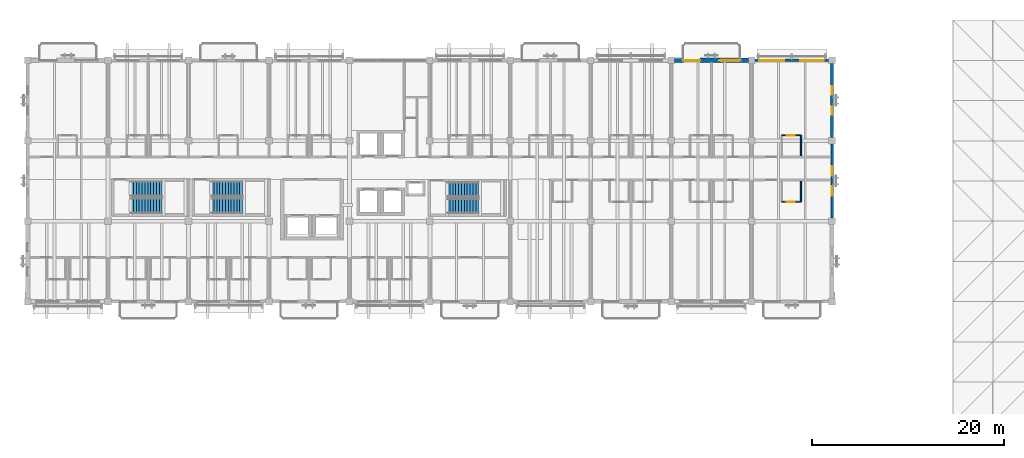
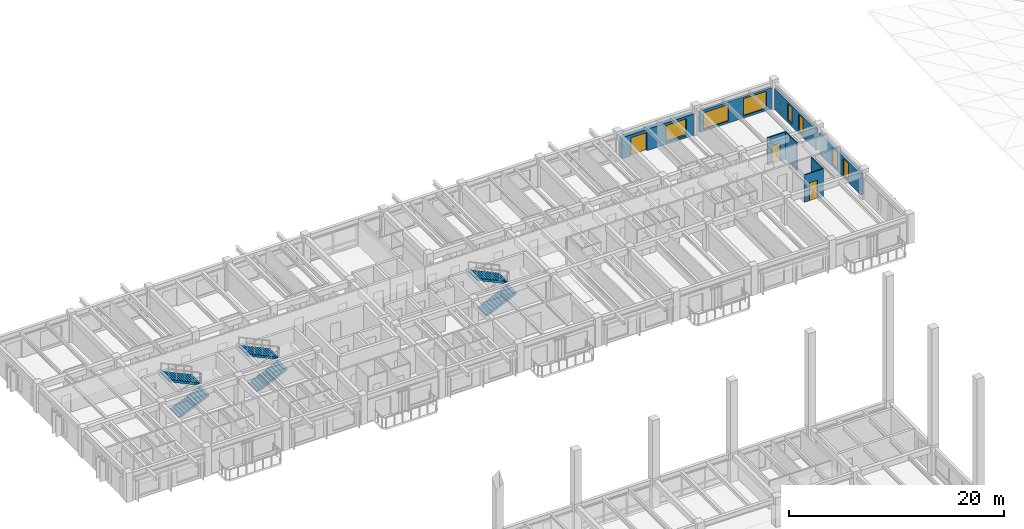
# One storey, part 41 of 64: 8 walls, 7 windows, 6 stair flights, 3 doors, 10 openings, 3 elements without a shape of their own.
"""IFC4 building model written with IfcOpenShell, lengths in metres."""

from ifc_helpers import new_model, si_unit, direction, frame, frame_2d, origin, place, context, subcontext, project, spatial, polyline, rectangle, outline, extrude, material, layer, layer_set, type_object, element, fill, aggregate, save


model = new_model("IFC4")

# Units and contexts
model_context = context("Model", 3, precision=1e-05, world=origin(), true_north=direction((0.0, 1.0)))
body_context = subcontext(model_context, "Body", "Model", "MODEL_VIEW")
ifc_project = project(units=[si_unit("LENGTHUNIT", "METRE"), si_unit("AREAUNIT", "SQUARE_METRE"), si_unit("VOLUMEUNIT", "CUBIC_METRE"), si_unit("PLANEANGLEUNIT", "RADIAN"), si_unit("MASSUNIT", "GRAM", prefix="KILO")], contexts=[model_context])

# Site, building, storey
site_placement = place(None, origin())
site = spatial("IfcSite", under=ifc_project, at=site_placement, CompositionType="ELEMENT")
building_placement = place(site_placement, origin())
building = spatial("IfcBuilding", under=site, at=building_placement, Name="Cumbredor Promenade Congress Hotel", CompositionType="ELEMENT")
storey_placement = place(building_placement, frame((0.0, 0.0, 18.47998046875)))
storey = spatial("IfcBuildingStorey", under=building, at=storey_placement, Name="L05", CompositionType="ELEMENT", Elevation=18.47998046875)

# Wall, opening, door
ifc_material_1 = material(Name="Moisture-resistant gypsum board on steel studs", Category="steel")
ifc_layer_1 = layer(ifc_material_1, 0.114990234375, Name="Moisture-resistant gypsum board on steel studs", Category="steel")
ifc_layer_set_1 = layer_set([ifc_layer_1], Name="Moisture-resistant gypsum board on steel studs")
wall_type_1 = type_object("IfcWallType", Name="WL-BATH-115", PredefinedType="PARTITIONING", material=ifc_layer_set_1)
wall_1_placement = place(storey_placement, frame((78.75, 109.77001953125, 0.0), z_axis=(0.0, 0.0, 1.0), x_axis=(1.0, 0.0, 0.0)))
wall_1 = element("IfcWall", 1, at=wall_1_placement, inside=storey, type_object=wall_type_1, Name="L05 Interior Partition W-L05-BH-0515", PredefinedType="PARTITIONING", context=body_context, shape_type="SweptSolid", body=[
    extrude(rectangle(XDim=2.0, YDim=0.114990234375, at=frame_2d((1.0, 0.0))), origin(), (0.0, 0.0, 1.0), 3.1201171875),
])
opening_1_placement = place(wall_1_placement, frame((0.5, 0.0, 0.0)))
opening_1 = element("IfcOpeningElement", 2, at=opening_1_placement, cuts=wall_1, Name="Opening ID-01", PredefinedType="OPENING", context=body_context, shape_type="SweptSolid", body=[
    extrude(rectangle(XDim=0.860107421875, YDim=2.050048828125, at=frame_2d((0.43017578125, 1.02490234375))), frame((0.0, 0.0673828125, 0.0), z_axis=(0.0, -1.0, 0.0), x_axis=(1.0, 0.0, 0.0)), (0.0, 0.0, 1.0), 0.135009765625),
])
ifc_material_2 = material(Name="Kiln-dried tropical hardwood", Category="wood")
door_type_1 = type_object("IfcDoorType", Name="DR-BATH-860", OperationType="NOTDEFINED", PredefinedType="DOOR", material=ifc_material_2)
door_1_placement = place(opening_1_placement, origin())
door_1 = element("IfcDoor", 3, at=door_1_placement, inside=storey, type_object=door_type_1, Name="L05 Interior Door W-L05-BH-0515-01", OperationType="SINGLE_SWING_RIGHT", OverallHeight=2.050048828125, OverallWidth=0.860107421875, PredefinedType="DOOR", context=body_context, shape_type="SweptSolid", body=[
    extrude(rectangle(XDim=0.860107421875, YDim=2.050048828125, at=frame_2d((0.43017578125, 1.02490234375))), frame((0.0, 0.02490234375, 0.0), z_axis=(0.0, -1.0, 0.0), x_axis=(1.0, 0.0, 0.0)), (0.0, 0.0, 1.0), 0.050048828125),
])
fill(opening_1, door_1)

# Wall
wall_2_placement = place(storey_placement, frame((80.75, 107.6201171875, 0.0), z_axis=(0.0, 0.0, 1.0), x_axis=(0.0, 1.0, 0.0)))
element("IfcWall", 4, at=wall_2_placement, inside=storey, type_object=wall_type_1, Name="L05 Interior Partition W-L05-BV2-0515", PredefinedType="PARTITIONING", context=body_context, shape_type="SweptSolid", body=[
    extrude(rectangle(XDim=2.14990234375, YDim=0.114990234375, at=frame_2d((1.074951171875, 0.0))), origin(), (0.0, 0.0, 1.0), 3.1201171875),
])

# Wall, opening, door
wall_3_placement = place(storey_placement, frame((78.75, 102.830078125, 0.0), z_axis=(0.0, 0.0, 1.0), x_axis=(1.0, 0.0, 0.0)))
wall_3 = element("IfcWall", 5, at=wall_3_placement, inside=storey, type_object=wall_type_1, Name="L05 Interior Partition W-L05-BH-0521", PredefinedType="PARTITIONING", context=body_context, shape_type="SweptSolid", body=[
    extrude(rectangle(XDim=2.0, YDim=0.114990234375, at=frame_2d((1.0, 0.0))), origin(), (0.0, 0.0, 1.0), 3.1201171875),
])
opening_2_placement = place(wall_3_placement, frame((0.5, 0.0, 0.0)))
opening_2 = element("IfcOpeningElement", 6, at=opening_2_placement, cuts=wall_3, Name="Opening ID-01", PredefinedType="OPENING", context=body_context, shape_type="SweptSolid", body=[
    extrude(rectangle(XDim=0.860107421875, YDim=2.050048828125, at=frame_2d((0.43017578125, 1.02490234375))), frame((0.0, 0.0673828125, 0.0), z_axis=(0.0, -1.0, 0.0), x_axis=(1.0, 0.0, 0.0)), (0.0, 0.0, 1.0), 0.135009765625),
])
door_2_placement = place(opening_2_placement, origin())
door_2 = element("IfcDoor", 7, at=door_2_placement, inside=storey, type_object=door_type_1, Name="L05 Interior Door W-L05-BH-0521-01", OperationType="SINGLE_SWING_RIGHT", OverallHeight=2.050048828125, OverallWidth=0.860107421875, PredefinedType="DOOR", context=body_context, shape_type="SweptSolid", body=[
    extrude(rectangle(XDim=0.860107421875, YDim=2.050048828125, at=frame_2d((0.43017578125, 1.02490234375))), frame((0.0, 0.02490234375, 0.0), z_axis=(0.0, -1.0, 0.0), x_axis=(1.0, 0.0, 0.0)), (0.0, 0.0, 1.0), 0.050048828125),
])
fill(opening_2, door_2)

# Wall
wall_4_placement = place(storey_placement, frame((80.75, 102.830078125, 0.0), z_axis=(0.0, 0.0, 1.0), x_axis=(0.0, 1.0, 0.0)))
element("IfcWall", 8, at=wall_4_placement, inside=storey, type_object=wall_type_1, Name="L05 Interior Partition W-L05-BV2-0521", PredefinedType="PARTITIONING", context=body_context, shape_type="SweptSolid", body=[
    extrude(rectangle(XDim=2.14990234375, YDim=0.114990234375, at=frame_2d((1.074951171875, 0.0))), origin(), (0.0, 0.0, 1.0), 3.1201171875),
])

# Wall, openings, windows
ifc_material_3 = material(Name="Concrete C40/50", Category="concrete")
ifc_layer_2 = layer(ifc_material_3, 0.260009765625, Name="Concrete C40/50", Category="concrete")
ifc_layer_set_2 = layer_set([ifc_layer_2], Name="Concrete C40/50")
wall_type_2 = type_object("IfcWallType", Name="WL-EXT-260", PredefinedType="SOLIDWALL", material=ifc_layer_set_2)
wall_5_placement = place(storey_placement, frame((75.950927734375, 117.60009765625, 0.0), z_axis=(0.0, 0.0, 1.0), x_axis=(1.0, 0.0, 0.0)))
wall_5 = element("IfcWall", 9, at=wall_5_placement, inside=storey, type_object=wall_type_2, Name="L05 Stepped Congress Hotel Wing North Envelope Wall 10", PredefinedType="SOLIDWALL", context=body_context, shape_type="SweptSolid", body=[
    extrude(rectangle(XDim=7.697998046875, YDim=0.260009765625, at=frame_2d((3.84912109375, 0.0))), origin(), (0.0, 0.0, 1.0), 2.4140625),
])
opening_3_placement = place(wall_5_placement, frame((0.424072265625, 0.0, 0.25)))
opening_3 = element("IfcOpeningElement", 10, at=opening_3_placement, cuts=wall_5, Name="Opening WN-05", PredefinedType="OPENING", context=body_context, shape_type="SweptSolid", body=[
    extrude(rectangle(XDim=2.64990234375, YDim=1.85009765625, at=frame_2d((1.324951171875, 0.925048828125))), frame((0.0, 0.14013671875, 0.0), z_axis=(0.0, -1.0, 0.0), x_axis=(1.0, 0.0, 0.0)), (0.0, 0.0, 1.0), 0.280029296875),
])
opening_4_placement = place(wall_5_placement, frame((4.72412109375, 0.0, 0.25)))
opening_4 = element("IfcOpeningElement", 11, at=opening_4_placement, cuts=wall_5, Name="Opening WN-09", PredefinedType="OPENING", context=body_context, shape_type="SweptSolid", body=[
    extrude(rectangle(XDim=2.449951171875, YDim=1.949951171875, at=frame_2d((1.22509765625, 0.97509765625))), frame((0.0, 0.14013671875, 0.0), z_axis=(0.0, -1.0, 0.0), x_axis=(1.0, 0.0, 0.0)), (0.0, 0.0, 1.0), 0.280029296875),
])
ifc_material_4 = material(Name="Thermally broken anodized aluminium and low-E glass", Category="aluminium")
window_type_1 = type_object("IfcWindowType", Name="Hospitality Floor-to-Ceiling Window WN-05 2650x1850", PartitioningType="DOUBLE_PANEL_VERTICAL", PredefinedType="WINDOW", material=ifc_material_4)
window_1_placement = place(opening_3_placement, origin())
window_1 = element("IfcWindow", 12, at=window_1_placement, inside=storey, type_object=window_type_1, Name="L05 Wide Hospitality Window 0569", OverallHeight=1.85009765625, OverallWidth=2.64990234375, PartitioningType="DOUBLE_PANEL_VERTICAL", PredefinedType="WINDOW", context=body_context, shape_type="SweptSolid", body=[
    extrude(rectangle(XDim=2.64990234375, YDim=1.85009765625, at=frame_2d((1.324951171875, 0.925048828125))), frame((0.0, 0.030029296875, 0.0), z_axis=(0.0, -1.0, 0.0), x_axis=(1.0, 0.0, 0.0)), (0.0, 0.0, 1.0), 0.06005859375),
])
fill(opening_3, window_1)
window_type_2 = type_object("IfcWindowType", Name="Hospitality Floor-to-Ceiling Window WN-09 2450x1950", PartitioningType="DOUBLE_PANEL_VERTICAL", PredefinedType="WINDOW", material=ifc_material_4)
window_2_placement = place(opening_4_placement, origin())
window_2 = element("IfcWindow", 13, at=window_2_placement, inside=storey, type_object=window_type_2, Name="L05 Wide Hospitality Window 0570", OverallHeight=1.949951171875, OverallWidth=2.449951171875, PartitioningType="DOUBLE_PANEL_VERTICAL", PredefinedType="WINDOW", context=body_context, shape_type="SweptSolid", body=[
    extrude(rectangle(XDim=2.449951171875, YDim=1.949951171875, at=frame_2d((1.22509765625, 0.97509765625))), frame((0.0, 0.030029296875, 0.0), z_axis=(0.0, -1.0, 0.0), x_axis=(1.0, 0.0, 0.0)), (0.0, 0.0, 1.0), 0.06005859375),
])
fill(opening_4, window_2)

wall_6_placement = place(storey_placement, frame((84.0, 101.15087890625, 0.0), z_axis=(0.0, 0.0, 1.0), x_axis=(0.0, 1.0, 0.0)))
wall_6 = element("IfcWall", 14, at=wall_6_placement, inside=storey, type_object=wall_type_2, Name="L05 Stepped Congress Hotel Wing East Envelope Wall 2", PredefinedType="SOLIDWALL", context=body_context, shape_type="SweptSolid", body=[
    extrude(rectangle(XDim=7.6982421875, YDim=0.260009765625, at=frame_2d((3.84912109375, 0.0))), origin(), (0.0, 0.0, 1.0), 2.4140625),
])
opening_5_placement = place(wall_6_placement, frame((2.2890625, 0.0, 0.300048828125)))
opening_5 = element("IfcOpeningElement", 15, at=opening_5_placement, cuts=wall_6, Name="Opening WN-69", PredefinedType="OPENING", context=body_context, shape_type="SweptSolid", body=[
    extrude(rectangle(XDim=1.02001953125, YDim=1.89990234375, at=frame_2d((0.510009765625, 0.949951171875))), frame((0.0, 0.14013671875, 0.0), z_axis=(0.0, -1.0, 0.0), x_axis=(1.0, 0.0, 0.0)), (0.0, 0.0, 1.0), 0.280029296875),
])
opening_6_placement = place(wall_6_placement, frame((4.388916015625, 0.0, 0.300048828125)))
opening_6 = element("IfcOpeningElement", 16, at=opening_6_placement, cuts=wall_6, Name="Opening WN-69", PredefinedType="OPENING", context=body_context, shape_type="SweptSolid", body=[
    extrude(rectangle(XDim=1.02001953125, YDim=1.89990234375, at=frame_2d((0.510009765625, 0.949951171875))), frame((0.0, 0.14013671875, 0.0), z_axis=(0.0, -1.0, 0.0), x_axis=(1.0, 0.0, 0.0)), (0.0, 0.0, 1.0), 0.280029296875),
])
window_type_3 = type_object("IfcWindowType", Name="Vertical Slot Window WN-69 1020x1900", PartitioningType="SINGLE_PANEL", PredefinedType="WINDOW", material=ifc_material_4)
window_3_placement = place(opening_5_placement, origin())
window_3 = element("IfcWindow", 17, at=window_3_placement, inside=storey, type_object=window_type_3, Name="L05 Vertical Slot Window 0579", OverallHeight=1.89990234375, OverallWidth=1.02001953125, PartitioningType="SINGLE_PANEL", PredefinedType="WINDOW", context=body_context, shape_type="SweptSolid", body=[
    extrude(rectangle(XDim=1.02001953125, YDim=1.89990234375, at=frame_2d((0.510009765625, 0.949951171875))), frame((0.0, 0.030029296875, 0.0), z_axis=(0.0, -1.0, 0.0), x_axis=(1.0, 0.0, 0.0)), (0.0, 0.0, 1.0), 0.06005859375),
])
fill(opening_5, window_3)
window_4_placement = place(opening_6_placement, origin())
window_4 = element("IfcWindow", 18, at=window_4_placement, inside=storey, type_object=window_type_3, Name="L05 Vertical Slot Window 0580", OverallHeight=1.89990234375, OverallWidth=1.02001953125, PartitioningType="SINGLE_PANEL", PredefinedType="WINDOW", context=body_context, shape_type="SweptSolid", body=[
    extrude(rectangle(XDim=1.02001953125, YDim=1.89990234375, at=frame_2d((0.510009765625, 0.949951171875))), frame((0.0, 0.030029296875, 0.0), z_axis=(0.0, -1.0, 0.0), x_axis=(1.0, 0.0, 0.0)), (0.0, 0.0, 1.0), 0.06005859375),
])
fill(opening_6, window_4)

ifc_layer_3 = layer(ifc_material_3, 0.280029296875, Name="Concrete C40/50", Category="concrete")
ifc_layer_set_3 = layer_set([ifc_layer_3], Name="Concrete C40/50")
wall_type_3 = type_object("IfcWallType", Name="WL-EXT-280", PredefinedType="SOLIDWALL", material=ifc_layer_set_3)
wall_7_placement = place(storey_placement, frame((84.0, 109.551025390625, 0.0), z_axis=(0.0, 0.0, 1.0), x_axis=(0.0, 1.0, 0.0)))
wall_7 = element("IfcWall", 19, at=wall_7_placement, inside=storey, type_object=wall_type_3, Name="L05 Stepped Congress Hotel Wing East Envelope Wall 3", PredefinedType="SOLIDWALL", context=body_context, shape_type="SweptSolid", body=[
    extrude(rectangle(XDim=7.697998046875, YDim=0.280029296875, at=frame_2d((3.84912109375, 0.0))), origin(), (0.0, 0.0, 1.0), 2.4140625),
])
opening_7_placement = place(wall_7_placement, frame((2.37890625, 0.0, 0.300048828125)))
opening_7 = element("IfcOpeningElement", 20, at=opening_7_placement, cuts=wall_7, Name="Opening WN-47", PredefinedType="OPENING", context=body_context, shape_type="SweptSolid", body=[
    extrude(rectangle(XDim=0.840087890625, YDim=1.85009765625, at=frame_2d((0.419921875, 0.925048828125))), frame((0.0, 0.14990234375, 0.0), z_axis=(0.0, -1.0, 0.0), x_axis=(1.0, 0.0, 0.0)), (0.0, 0.0, 1.0), 0.300048828125),
])
opening_8_placement = place(wall_7_placement, frame((4.47900390625, 0.0, 0.300048828125)))
opening_8 = element("IfcOpeningElement", 21, at=opening_8_placement, cuts=wall_7, Name="Opening WN-47", PredefinedType="OPENING", context=body_context, shape_type="SweptSolid", body=[
    extrude(rectangle(XDim=0.840087890625, YDim=1.85009765625, at=frame_2d((0.419921875, 0.925048828125))), frame((0.0, 0.14990234375, 0.0), z_axis=(0.0, -1.0, 0.0), x_axis=(1.0, 0.0, 0.0)), (0.0, 0.0, 1.0), 0.300048828125),
])
window_type_4 = type_object("IfcWindowType", Name="Vertical Slot Window WN-47 840x1850", PartitioningType="SINGLE_PANEL", PredefinedType="WINDOW", material=ifc_material_4)
window_5_placement = place(opening_7_placement, origin())
window_5 = element("IfcWindow", 22, at=window_5_placement, inside=storey, type_object=window_type_4, Name="L05 Vertical Slot Window 0581", OverallHeight=1.85009765625, OverallWidth=0.840087890625, PartitioningType="SINGLE_PANEL", PredefinedType="WINDOW", context=body_context, shape_type="SweptSolid", body=[
    extrude(rectangle(XDim=0.840087890625, YDim=1.85009765625, at=frame_2d((0.419921875, 0.925048828125))), frame((0.0, 0.030029296875, 0.0), z_axis=(0.0, -1.0, 0.0), x_axis=(1.0, 0.0, 0.0)), (0.0, 0.0, 1.0), 0.06005859375),
])
fill(opening_7, window_5)
window_6_placement = place(opening_8_placement, origin())
window_6 = element("IfcWindow", 23, at=window_6_placement, inside=storey, type_object=window_type_4, Name="L05 Vertical Slot Window 0582", OverallHeight=1.85009765625, OverallWidth=0.840087890625, PartitioningType="SINGLE_PANEL", PredefinedType="WINDOW", context=body_context, shape_type="SweptSolid", body=[
    extrude(rectangle(XDim=0.840087890625, YDim=1.85009765625, at=frame_2d((0.419921875, 0.925048828125))), frame((0.0, 0.030029296875, 0.0), z_axis=(0.0, -1.0, 0.0), x_axis=(1.0, 0.0, 0.0)), (0.0, 0.0, 1.0), 0.06005859375),
])
fill(opening_8, window_6)

# Wall, openings, door, window
ifc_layer_4 = layer(ifc_material_3, 0.449951171875, Name="Concrete C40/50", Category="concrete")
ifc_layer_set_4 = layer_set([ifc_layer_4], Name="Concrete C40/50")
wall_type_4 = type_object("IfcWallType", Name="WL-EXT-450", PredefinedType="SOLIDWALL", material=ifc_layer_set_4)
wall_8_placement = place(storey_placement, frame((67.551025390625, 117.60009765625, 0.0), z_axis=(0.0, 0.0, 1.0), x_axis=(1.0, 0.0, 0.0)))
wall_8 = element("IfcWall", 24, at=wall_8_placement, inside=storey, type_object=wall_type_4, Name="L05 Stepped Congress Hotel Wing North Envelope Wall 9", PredefinedType="SOLIDWALL", context=body_context, shape_type="SweptSolid", body=[
    extrude(rectangle(XDim=7.697998046875, YDim=0.449951171875, at=frame_2d((3.84912109375, 0.0))), origin(), (0.0, 0.0, 1.0), 2.4140625),
])
opening_9_placement = place(wall_8_placement, frame((0.924072265625, 0.0, 0.0)))
opening_9 = element("IfcOpeningElement", 25, at=opening_9_placement, cuts=wall_8, Name="Opening TD-03", PredefinedType="OPENING", context=body_context, shape_type="SweptSolid", body=[
    extrude(rectangle(XDim=1.75, YDim=2.080078125, at=frame_2d((0.875, 1.0400390625))), frame((0.0, 0.23486328125, 0.0), z_axis=(0.0, -1.0, 0.0), x_axis=(1.0, 0.0, 0.0)), (0.0, 0.0, 1.0), 0.469970703125),
])
opening_10_placement = place(wall_8_placement, frame((4.68896484375, 0.0, 0.25)))
opening_10 = element("IfcOpeningElement", 26, at=opening_10_placement, cuts=wall_8, Name="Opening WN-35", PredefinedType="OPENING", context=body_context, shape_type="SweptSolid", body=[
    extrude(rectangle(XDim=2.219970703125, YDim=1.89990234375, at=frame_2d((1.10986328125, 0.949951171875))), frame((0.0, 0.23486328125, 0.0), z_axis=(0.0, -1.0, 0.0), x_axis=(1.0, 0.0, 0.0)), (0.0, 0.0, 1.0), 0.469970703125),
])
ifc_material_5 = material(Name="Thermally broken anodized aluminium and laminated safety glass", Category="aluminium")
door_type_2 = type_object("IfcDoorType", Name="EXT-DR-TER-1750x2080", OperationType="DOUBLE_DOOR_SINGLE_SWING", PredefinedType="DOOR", material=ifc_material_5)
door_3_placement = place(opening_9_placement, origin())
door_3 = element("IfcDoor", 27, at=door_3_placement, inside=storey, type_object=door_type_2, Name="L05 Guestroom Veranda Balcony Door 065", OperationType="DOUBLE_DOOR_SINGLE_SWING", OverallHeight=2.080078125, OverallWidth=1.75, PredefinedType="DOOR", context=body_context, shape_type="SweptSolid", body=[
    extrude(rectangle(XDim=1.75, YDim=2.080078125, at=frame_2d((0.875, 1.0400390625))), frame((0.0, 0.02490234375, 0.0), z_axis=(0.0, -1.0, 0.0), x_axis=(1.0, 0.0, 0.0)), (0.0, 0.0, 1.0), 0.050048828125),
])
fill(opening_9, door_3)
window_type_5 = type_object("IfcWindowType", Name="Hospitality Floor-to-Ceiling Window WN-35 2220x1900", PartitioningType="DOUBLE_PANEL_VERTICAL", PredefinedType="WINDOW", material=ifc_material_4)
window_7_placement = place(opening_10_placement, origin())
window_7 = element("IfcWindow", 28, at=window_7_placement, inside=storey, type_object=window_type_5, Name="L05 Veranda Companion Floor-to-Ceiling Window 0568", OverallHeight=1.89990234375, OverallWidth=2.219970703125, PartitioningType="DOUBLE_PANEL_VERTICAL", PredefinedType="WINDOW", context=body_context, shape_type="SweptSolid", body=[
    extrude(rectangle(XDim=2.219970703125, YDim=1.89990234375, at=frame_2d((1.10986328125, 0.949951171875))), frame((0.0, 0.030029296875, 0.0), z_axis=(0.0, -1.0, 0.0), x_axis=(1.0, 0.0, 0.0)), (0.0, 0.0, 1.0), 0.06005859375),
])
fill(opening_10, window_7)

# Stair, stair flights
stair_type_1 = type_object("IfcStairType", Name="Protected Dog-Leg Exit Stair ST-T1 1550mm", PredefinedType="HALF_TURN_STAIR", material=ifc_material_3)
stair_1_placement = place(storey_placement, origin())
stair_1 = element("IfcStair", 29, at=stair_1_placement, inside=storey, type_object=stair_type_1, Name="L05 Protected Exit Stair ST-03", PredefinedType="HALF_TURN_STAIR")
stair_flight_type_1 = type_object("IfcStairFlightType", Name="Concrete Stair Flight SFL-T1 1550mm", PredefinedType="STRAIGHT", material=ifc_material_3)
stair_flight_1_placement = place(storey_placement, frame((43.800048828125, 102.39501953125, 0.0), z_axis=(0.0, 0.0, 1.0), x_axis=(1.0, 0.0, 0.0)))
stair_flight_1 = element("IfcStairFlight", 30, at=stair_flight_1_placement, type_object=stair_flight_type_1, Name="ST-03 flight 1", NumberOfRisers=12, NumberOfTreads=11, PredefinedType="STRAIGHT", RiserHeight=0.14, TreadLength=0.3, context=body_context, shape_type="SweptSolid", body=[
    extrude(outline(polyline([(0.0, 0.0), (0.0, 0.139892578125), (0.300048828125, 0.139892578125), (0.300048828125, 0.280029296875), (0.60009765625, 0.280029296875), (0.60009765625, 0.419921875), (0.89990234375, 0.419921875), (0.89990234375, 0.56005859375), (1.199951171875, 0.56005859375), (1.199951171875, 0.699951171875), (1.5, 0.699951171875), (1.5, 0.840087890625), (1.800048828125, 0.840087890625), (1.800048828125, 0.97998046875), (2.10009765625, 0.97998046875), (2.10009765625, 1.1201171875), (2.39990234375, 1.1201171875), (2.39990234375, 1.260009765625), (2.699951171875, 1.260009765625), (2.699951171875, 1.39990234375), (3.0, 1.39990234375), (3.0, 1.5400390625), (3.300048828125, 1.5400390625), (3.300048828125, 1.679931640625), (3.300048828125, 1.341552734375), (0.425537109375, 0.0), (0.0, 0.0)])), frame((0.0, 0.77490234375, 0.0), z_axis=(0.0, -1.0, 0.0), x_axis=(1.0, 0.0, 0.0)), (0.0, 0.0, 1.0), 1.550048828125),
])
stair_flight_2_placement = place(storey_placement, frame((47.10009765625, 104.094970703125, 1.679931640625), z_axis=(0.0, 0.0, 1.0), x_axis=(-1.0, 0.0, 0.0)))
stair_flight_2 = element("IfcStairFlight", 31, at=stair_flight_2_placement, type_object=stair_flight_type_1, Name="ST-03 flight 2", NumberOfRisers=12, NumberOfTreads=11, PredefinedType="STRAIGHT", RiserHeight=0.14, TreadLength=0.3, context=body_context, shape_type="SweptSolid", body=[
    extrude(outline(polyline([(0.0, 0.0), (0.0, 0.139892578125), (0.300048828125, 0.139892578125), (0.300048828125, 0.280029296875), (0.60009765625, 0.280029296875), (0.60009765625, 0.419921875), (0.89990234375, 0.419921875), (0.89990234375, 0.56005859375), (1.199951171875, 0.56005859375), (1.199951171875, 0.699951171875), (1.5, 0.699951171875), (1.5, 0.840087890625), (1.800048828125, 0.840087890625), (1.800048828125, 0.97998046875), (2.10009765625, 0.97998046875), (2.10009765625, 1.1201171875), (2.39990234375, 1.1201171875), (2.39990234375, 1.260009765625), (2.699951171875, 1.260009765625), (2.699951171875, 1.39990234375), (3.0, 1.39990234375), (3.0, 1.5400390625), (3.300048828125, 1.5400390625), (3.300048828125, 1.679931640625), (3.300048828125, 1.341552734375), (0.425537109375, 0.0), (0.0, 0.0)])), frame((0.0, 0.77490234375, 0.0), z_axis=(0.0, -1.0, 0.0), x_axis=(1.0, 0.0, 0.0)), (0.0, 0.0, 1.0), 1.550048828125),
])
aggregate(stair_1, [stair_flight_1, stair_flight_2])

stair_type_2 = type_object("IfcStairType", Name="Protected Dog-Leg Exit Stair ST-T2 1600mm", PredefinedType="HALF_TURN_STAIR", material=ifc_material_3)
stair_2_placement = place(storey_placement, origin())
stair_2 = element("IfcStair", 32, at=stair_2_placement, inside=storey, type_object=stair_type_2, Name="L05 Protected Exit Stair ST-01", PredefinedType="HALF_TURN_STAIR")
stair_flight_type_2 = type_object("IfcStairFlightType", Name="Concrete Stair Flight SFL-T2 1600mm", PredefinedType="STRAIGHT", material=ifc_material_3)
stair_flight_3_placement = place(storey_placement, frame((10.75, 102.419921875, 0.0), z_axis=(0.0, 0.0, 1.0), x_axis=(1.0, 0.0, 0.0)))
stair_flight_3 = element("IfcStairFlight", 33, at=stair_flight_3_placement, type_object=stair_flight_type_2, Name="ST-01 flight 1", NumberOfRisers=12, NumberOfTreads=11, PredefinedType="STRAIGHT", RiserHeight=0.14, TreadLength=0.3, context=body_context, shape_type="SweptSolid", body=[
    extrude(outline(polyline([(0.0, 0.0), (0.0, 0.139892578125), (0.300048828125, 0.139892578125), (0.300048828125, 0.280029296875), (0.60009765625, 0.280029296875), (0.60009765625, 0.419921875), (0.89990234375, 0.419921875), (0.89990234375, 0.56005859375), (1.199951171875, 0.56005859375), (1.199951171875, 0.699951171875), (1.5, 0.699951171875), (1.5, 0.840087890625), (1.800048828125, 0.840087890625), (1.800048828125, 0.97998046875), (2.10009765625, 0.97998046875), (2.10009765625, 1.1201171875), (2.39990234375, 1.1201171875), (2.39990234375, 1.260009765625), (2.699951171875, 1.260009765625), (2.699951171875, 1.39990234375), (3.0, 1.39990234375), (3.0, 1.5400390625), (3.300048828125, 1.5400390625), (3.300048828125, 1.679931640625), (3.300048828125, 1.341552734375), (0.425537109375, 0.0), (0.0, 0.0)])), frame((0.0, 0.800048828125, 0.0), z_axis=(0.0, -1.0, 0.0), x_axis=(1.0, 0.0, 0.0)), (0.0, 0.0, 1.0), 1.60009765625),
])
stair_flight_4_placement = place(storey_placement, frame((14.050048828125, 104.169921875, 1.679931640625), z_axis=(0.0, 0.0, 1.0), x_axis=(-1.0, 0.0, 0.0)))
stair_flight_4 = element("IfcStairFlight", 34, at=stair_flight_4_placement, type_object=stair_flight_type_2, Name="ST-01 flight 2", NumberOfRisers=12, NumberOfTreads=11, PredefinedType="STRAIGHT", RiserHeight=0.14, TreadLength=0.3, context=body_context, shape_type="SweptSolid", body=[
    extrude(outline(polyline([(0.0, 0.0), (0.0, 0.139892578125), (0.300048828125, 0.139892578125), (0.300048828125, 0.280029296875), (0.60009765625, 0.280029296875), (0.60009765625, 0.419921875), (0.89990234375, 0.419921875), (0.89990234375, 0.56005859375), (1.199951171875, 0.56005859375), (1.199951171875, 0.699951171875), (1.5, 0.699951171875), (1.5, 0.840087890625), (1.800048828125, 0.840087890625), (1.800048828125, 0.97998046875), (2.10009765625, 0.97998046875), (2.10009765625, 1.1201171875), (2.39990234375, 1.1201171875), (2.39990234375, 1.260009765625), (2.699951171875, 1.260009765625), (2.699951171875, 1.39990234375), (3.0, 1.39990234375), (3.0, 1.5400390625), (3.300048828125, 1.5400390625), (3.300048828125, 1.679931640625), (3.300048828125, 1.341552734375), (0.425537109375, 0.0), (0.0, 0.0)])), frame((0.0, 0.800048828125, 0.0), z_axis=(0.0, -1.0, 0.0), x_axis=(1.0, 0.0, 0.0)), (0.0, 0.0, 1.0), 1.60009765625),
])
aggregate(stair_2, [stair_flight_3, stair_flight_4])

stair_3_placement = place(storey_placement, origin())
stair_3 = element("IfcStair", 35, at=stair_3_placement, inside=storey, type_object=stair_type_2, Name="L05 Protected Exit Stair ST-02", PredefinedType="HALF_TURN_STAIR")
stair_flight_5_placement = place(storey_placement, frame((19.14990234375, 102.419921875, 0.0), z_axis=(0.0, 0.0, 1.0), x_axis=(1.0, 0.0, 0.0)))
stair_flight_5 = element("IfcStairFlight", 36, at=stair_flight_5_placement, type_object=stair_flight_type_2, Name="ST-02 flight 1", NumberOfRisers=12, NumberOfTreads=11, PredefinedType="STRAIGHT", RiserHeight=0.14, TreadLength=0.3, context=body_context, shape_type="SweptSolid", body=[
    extrude(outline(polyline([(0.0, 0.0), (0.0, 0.139892578125), (0.300048828125, 0.139892578125), (0.300048828125, 0.280029296875), (0.60009765625, 0.280029296875), (0.60009765625, 0.419921875), (0.89990234375, 0.419921875), (0.89990234375, 0.56005859375), (1.199951171875, 0.56005859375), (1.199951171875, 0.699951171875), (1.5, 0.699951171875), (1.5, 0.840087890625), (1.800048828125, 0.840087890625), (1.800048828125, 0.97998046875), (2.10009765625, 0.97998046875), (2.10009765625, 1.1201171875), (2.39990234375, 1.1201171875), (2.39990234375, 1.260009765625), (2.699951171875, 1.260009765625), (2.699951171875, 1.39990234375), (3.0, 1.39990234375), (3.0, 1.5400390625), (3.300048828125, 1.5400390625), (3.300048828125, 1.679931640625), (3.300048828125, 1.341552734375), (0.425537109375, 0.0), (0.0, 0.0)])), frame((0.0, 0.800048828125, 0.0), z_axis=(0.0, -1.0, 0.0), x_axis=(1.0, 0.0, 0.0)), (0.0, 0.0, 1.0), 1.60009765625),
])
stair_flight_6_placement = place(storey_placement, frame((22.449951171875, 104.169921875, 1.679931640625), z_axis=(0.0, 0.0, 1.0), x_axis=(-1.0, 0.0, 0.0)))
stair_flight_6 = element("IfcStairFlight", 37, at=stair_flight_6_placement, type_object=stair_flight_type_2, Name="ST-02 flight 2", NumberOfRisers=12, NumberOfTreads=11, PredefinedType="STRAIGHT", RiserHeight=0.14, TreadLength=0.3, context=body_context, shape_type="SweptSolid", body=[
    extrude(outline(polyline([(0.0, 0.0), (0.0, 0.139892578125), (0.300048828125, 0.139892578125), (0.300048828125, 0.280029296875), (0.60009765625, 0.280029296875), (0.60009765625, 0.419921875), (0.89990234375, 0.419921875), (0.89990234375, 0.56005859375), (1.199951171875, 0.56005859375), (1.199951171875, 0.699951171875), (1.5, 0.699951171875), (1.5, 0.840087890625), (1.800048828125, 0.840087890625), (1.800048828125, 0.97998046875), (2.10009765625, 0.97998046875), (2.10009765625, 1.1201171875), (2.39990234375, 1.1201171875), (2.39990234375, 1.260009765625), (2.699951171875, 1.260009765625), (2.699951171875, 1.39990234375), (3.0, 1.39990234375), (3.0, 1.5400390625), (3.300048828125, 1.5400390625), (3.300048828125, 1.679931640625), (3.300048828125, 1.341552734375), (0.425537109375, 0.0), (0.0, 0.0)])), frame((0.0, 0.800048828125, 0.0), z_axis=(0.0, -1.0, 0.0), x_axis=(1.0, 0.0, 0.0)), (0.0, 0.0, 1.0), 1.60009765625),
])
aggregate(stair_3, [stair_flight_5, stair_flight_6])

save(model, "model.ifc")
